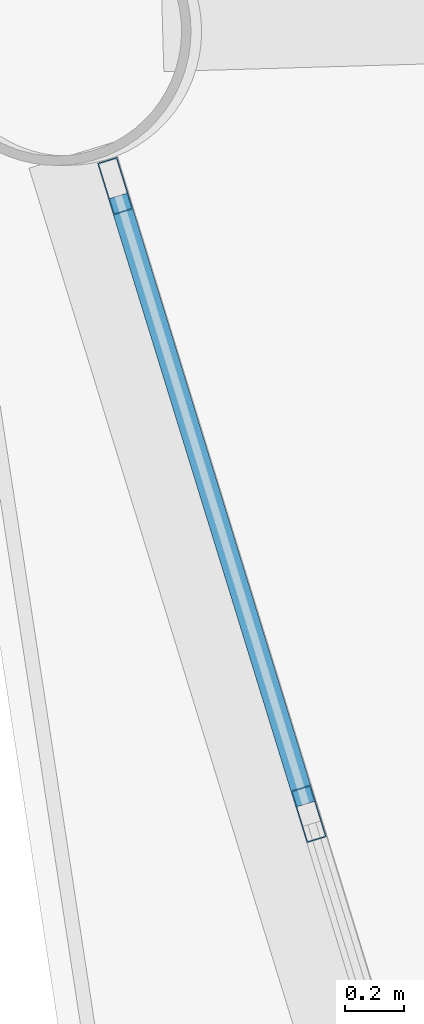
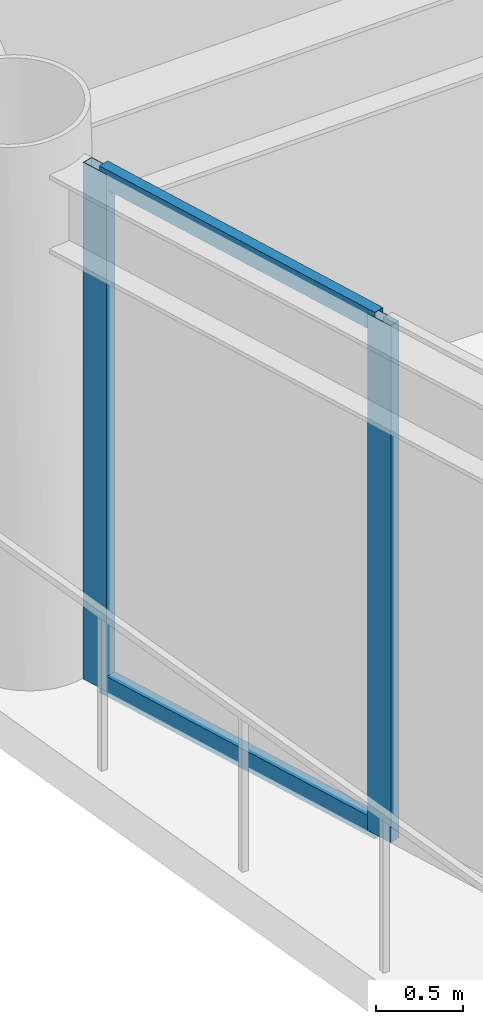
# One storey, part 8 of 25: 4 members, 1 element without a shape of its own.
"""IFC4 building model written with IfcOpenShell, lengths in metres."""

from ifc_helpers import new_model, si_unit, direction, frame, origin, origin_2d, place, context, subcontext, project, spatial, hollow_rectangle, extrude, material, layer, layer_set, material_profile, profile_set, type_object, element, aggregate, save


model = new_model("IFC4")

# Units and contexts
model_context = context("Model", 3, precision=1e-05, world=origin(), true_north=direction((0.0, 1.0)))
body_context = subcontext(model_context, "Body", "Model", "MODEL_VIEW")
ifc_project = project(units=[si_unit("LENGTHUNIT", "METRE"), si_unit("AREAUNIT", "SQUARE_METRE"), si_unit("VOLUMEUNIT", "CUBIC_METRE"), si_unit("PLANEANGLEUNIT", "RADIAN"), si_unit("MASSUNIT", "GRAM", prefix="KILO")], contexts=[model_context])

# Site, building, storey
site_placement = place(None, origin())
site = spatial("IfcSite", under=ifc_project, at=site_placement, CompositionType="ELEMENT")
building_placement = place(site_placement, origin())
building = spatial("IfcBuilding", under=site, at=building_placement, Name="Varnakorn Sky Granary", CompositionType="ELEMENT")
storey_placement = place(building_placement, frame((0.0, 0.0, 58.800048828125)))
storey = spatial("IfcBuildingStorey", under=building, at=storey_placement, Name="L14", CompositionType="ELEMENT", Elevation=58.800048828125)

# Curtain wall, members
ifc_material = material(Name="Anodised Bronze Aluminium Alloy 6063-T6", Category="aluminium")
ifc_layer = layer(ifc_material, 0.18994140625, Name="Anodised Bronze Aluminium Alloy 6063-T6")
ifc_layer_set = layer_set([ifc_layer], Name="Anodised Bronze Aluminium Alloy 6063-T6")
curtain_wall_type = type_object("IfcCurtainWallType", Name="CW-FRM-1", PredefinedType="USERDEFINED", material=ifc_layer_set)
curtain_wall_placement = place(storey_placement, origin())
curtain_wall = element("IfcCurtainWall", 1, at=curtain_wall_placement, inside=storey, type_object=curtain_wall_type, Name="Unitised Curtain Wall CW3 CW-L14-B07", ObjectType="CURTAIN WALL", PredefinedType="USERDEFINED")
ifc_material_profile_1 = material_profile(ifc_material, hollow_rectangle(XDim=0.070068359375, YDim=0.18505859375, WallThickness=0.00390625, at=origin_2d()), Name="ALU MULL 70x185")
ifc_profile_set_1 = profile_set([ifc_material_profile_1], Name="Anodised Bronze Aluminium Alloy 6063-T6")
member_type_1 = type_object("IfcMemberType", Name="CW-FRM-1-MULL", PredefinedType="MULLION", material=ifc_profile_set_1)
member_1_placement = place(storey_placement, frame((-22.066162109375, -2.66650390625, 0.0), z_axis=(0.0, 0.0, 1.0), x_axis=(-0.955650032155, -0.29450469613, 0.0)))
member_1 = element("IfcMember", 2, at=member_1_placement, type_object=member_type_1, Name="CW3 mullion 4", PredefinedType="MULLION", context=body_context, shape_type="SweptSolid", body=[
    extrude(hollow_rectangle(XDim=0.070068359375, YDim=0.18505859375, WallThickness=0.00390625, at=origin_2d()), origin(), (0.0, 0.0, 1.0), 3.639892578125),
])
member_2_placement = place(storey_placement, frame((-22.725341796875, -0.527587890625, 0.0), z_axis=(0.0, 0.0, 1.0), x_axis=(-0.955650032155, -0.29450469613, 0.0)))
member_2 = element("IfcMember", 3, at=member_2_placement, type_object=member_type_1, Name="CW3 mullion 5", PredefinedType="MULLION", context=body_context, shape_type="SweptSolid", body=[
    extrude(hollow_rectangle(XDim=0.070068359375, YDim=0.18505859375, WallThickness=0.00390625, at=origin_2d()), origin(), (0.0, 0.0, 1.0), 3.639892578125),
])
ifc_material_profile_2 = material_profile(ifc_material, hollow_rectangle(XDim=0.070068359375, YDim=0.139892578125, WallThickness=0.00341796875, at=origin_2d()), Name="ALU TRAN 70x140")
ifc_profile_set_2 = profile_set([ifc_material_profile_2], Name="Anodised Bronze Aluminium Alloy 6063-T6")
member_type_2 = type_object("IfcMemberType", Name="CW-FRM-1-TRAN", PredefinedType="USERDEFINED", material=ifc_profile_set_2)
member_3_placement = place(storey_placement, frame((-22.07666015625, -2.633056640625, 0.034912109375), z_axis=(-0.294457721915, 0.955664507034, 0.0), x_axis=(-0.955664507034, -0.294457721915, 0.0)))
member_3 = element("IfcMember", 4, at=member_3_placement, type_object=member_type_2, Name="CW3 transom 4.1", ObjectType="TRANSOM", PredefinedType="USERDEFINED", context=body_context, shape_type="SweptSolid", body=[
    extrude(hollow_rectangle(XDim=0.070068359375, YDim=0.139892578125, WallThickness=0.00341796875, at=origin_2d()), origin(), (0.0, 0.0, 1.0), 2.168212890625),
])
member_4_placement = place(storey_placement, frame((-22.07666015625, -2.633056640625, 3.60498046875), z_axis=(-0.294457721915, 0.955664507034, 0.0), x_axis=(-0.955664507034, -0.294457721915, 0.0)))
member_4 = element("IfcMember", 5, at=member_4_placement, type_object=member_type_2, Name="CW3 transom 4.2", ObjectType="TRANSOM", PredefinedType="USERDEFINED", context=body_context, shape_type="SweptSolid", body=[
    extrude(hollow_rectangle(XDim=0.070068359375, YDim=0.139892578125, WallThickness=0.00341796875, at=origin_2d()), origin(), (0.0, 0.0, 1.0), 2.168212890625),
])
aggregate(curtain_wall, [member_1, member_2, member_3, member_4])

save(model, "model.ifc")
